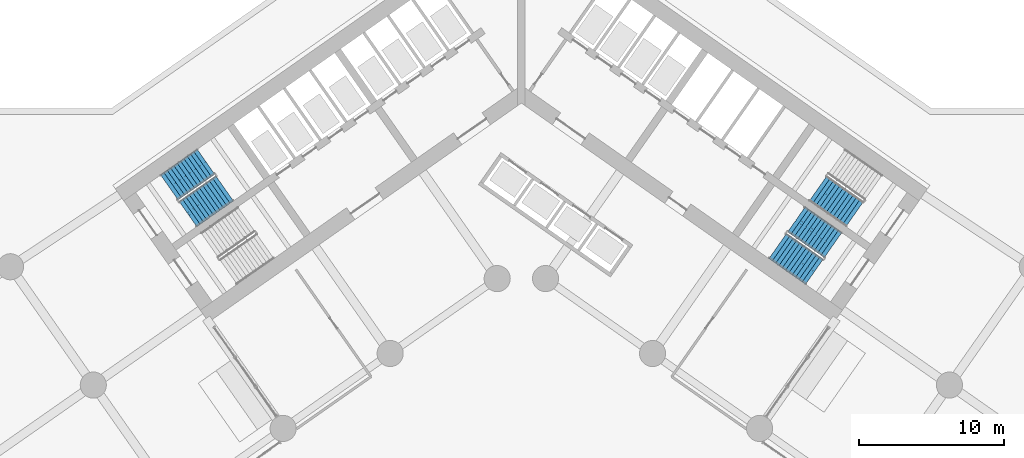
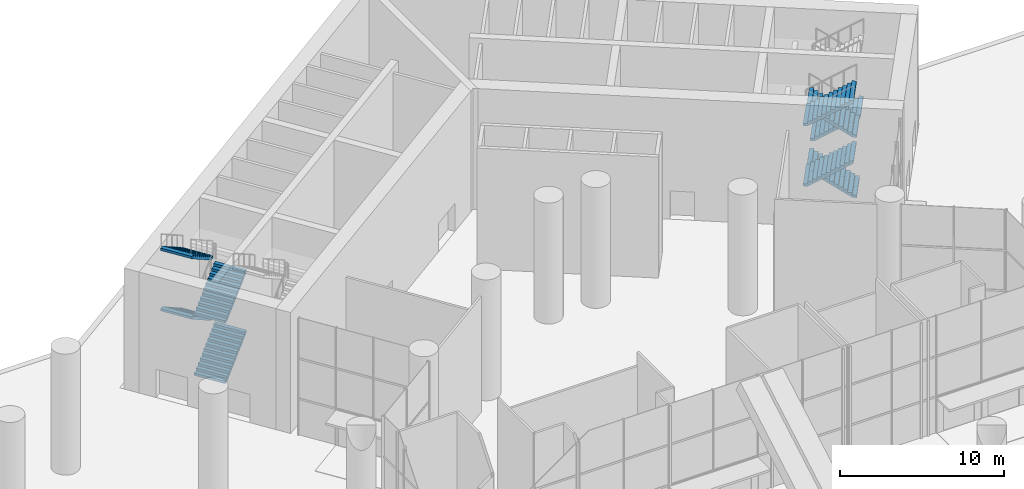
# One storey, part 25 of 37: 9 stair flights, 3 elements without a shape of their own.
"""IFC4 building model written with IfcOpenShell, lengths in metres."""

from ifc_helpers import new_model, si_unit, direction, frame, origin, place, context, subcontext, project, spatial, polyline, outline, extrude, material, type_object, element, aggregate, save


model = new_model("IFC4")

# Units and contexts
model_context = context("Model", 3, precision=1e-05, world=origin(), true_north=direction((0.0, 1.0)))
body_context = subcontext(model_context, "Body", "Model", "MODEL_VIEW")
ifc_project = project(units=[si_unit("LENGTHUNIT", "METRE"), si_unit("AREAUNIT", "SQUARE_METRE"), si_unit("VOLUMEUNIT", "CUBIC_METRE"), si_unit("PLANEANGLEUNIT", "RADIAN"), si_unit("MASSUNIT", "GRAM", prefix="KILO")], contexts=[model_context])

# Site, building, storey
site_placement = place(None, origin())
site = spatial("IfcSite", under=ifc_project, at=site_placement, CompositionType="ELEMENT")
building_placement = place(site_placement, origin())
building = spatial("IfcBuilding", under=site, at=building_placement, Name="Tel Ilan Convention Tower", CompositionType="ELEMENT")
storey_placement = place(building_placement, origin())
storey = spatial("IfcBuildingStorey", under=building, at=storey_placement, Name="L00", CompositionType="ELEMENT", Elevation=0.0)

# Stair, stair flights
ifc_material_1 = material(Name="Concrete C40/50", Category="concrete")
stair_type = type_object("IfcStairType", Name="Pressurised Exit Stair 48 risers 188 mm", PredefinedType="HALF_TURN_STAIR", material=ifc_material_1)
stair_1_placement = place(storey_placement, origin())
stair_1 = element("IfcStair", 1, at=stair_1_placement, inside=storey, type_object=stair_type, Name="L00 Pressurised Stair S1", PredefinedType="HALF_TURN_STAIR")
ifc_material_2 = material(Name="Precast Concrete C40/50", Category="concrete")
stair_flight_type = type_object("IfcStairFlightType", Name="Concrete Stair Flight 2100 mm 48 risers 188 mm", PredefinedType="STRAIGHT", material=ifc_material_2)
stair_flight_1_placement = place(storey_placement, frame((-22.9619140625, -8.87548828125, 0.0), z_axis=(0.0, 0.0, 1.0), x_axis=(0.819152044289, 0.573576436351, 0.0)))
stair_flight_1 = element("IfcStairFlight", 2, at=stair_flight_1_placement, type_object=stair_flight_type, Name="S1 flight 1", NumberOfRisers=12, NumberOfTreads=11, PredefinedType="STRAIGHT", RiserHeight=0.1875, TreadLength=0.28, context=body_context, shape_type="SweptSolid", body=[
    extrude(outline(polyline([(0.0, 0.0), (0.0, 0.1875), (0.280029296875, 0.1875), (0.280029296875, 0.375), (0.56005859375, 0.375), (0.56005859375, 0.5625), (0.840087890625, 0.5625), (0.840087890625, 0.75), (1.1201171875, 0.75), (1.1201171875, 0.9375), (1.39990234375, 0.9375), (1.39990234375, 1.125), (1.679931640625, 1.125), (1.679931640625, 1.3125), (1.9599609375, 1.3125), (1.9599609375, 1.5), (2.239990234375, 1.5), (2.239990234375, 1.6875), (2.52001953125, 1.6875), (2.52001953125, 1.875), (2.800048828125, 1.875), (2.800048828125, 2.0625), (3.080078125, 2.0625), (3.080078125, 2.25), (3.080078125, 1.882080078125), (0.26953125, 0.0), (0.0, 0.0)])), frame((0.0, -0.100341796875, 0.0), z_axis=(0.0, -1.0, 0.0), x_axis=(1.0, 0.0, 0.0)), (0.0, 0.0, 1.0), 0.94970703125),
    extrude(outline(polyline([(0.0, 0.0), (0.0, 0.1875), (0.280029296875, 0.1875), (0.280029296875, 0.375), (0.56005859375, 0.375), (0.56005859375, 0.5625), (0.840087890625, 0.5625), (0.840087890625, 0.75), (1.1201171875, 0.75), (1.1201171875, 0.9375), (1.39990234375, 0.9375), (1.39990234375, 1.125), (1.679931640625, 1.125), (1.679931640625, 1.3125), (1.9599609375, 1.3125), (1.9599609375, 1.5), (2.239990234375, 1.5), (2.239990234375, 1.6875), (2.52001953125, 1.6875), (2.52001953125, 1.875), (2.800048828125, 1.875), (2.800048828125, 2.0625), (3.080078125, 2.0625), (3.080078125, 2.25), (3.080078125, 1.882080078125), (0.26953125, 0.0), (0.0, 0.0)])), frame((0.0, -0.000244140625, 0.0), z_axis=(0.0, -1.0, 0.0), x_axis=(1.0, 0.0, 0.0)), (0.0, 0.0, 1.0), 0.099609375),
    extrude(outline(polyline([(0.0, 0.0), (0.0, 0.1875), (0.280029296875, 0.1875), (0.280029296875, 0.375), (0.56005859375, 0.375), (0.56005859375, 0.5625), (0.840087890625, 0.5625), (0.840087890625, 0.75), (1.1201171875, 0.75), (1.1201171875, 0.9375), (1.39990234375, 0.9375), (1.39990234375, 1.125), (1.679931640625, 1.125), (1.679931640625, 1.3125), (1.9599609375, 1.3125), (1.9599609375, 1.5), (2.239990234375, 1.5), (2.239990234375, 1.6875), (2.52001953125, 1.6875), (2.52001953125, 1.875), (2.800048828125, 1.875), (2.800048828125, 2.0625), (3.080078125, 2.0625), (3.080078125, 2.25), (3.080078125, 1.882080078125), (0.26953125, 0.0), (0.0, 0.0)])), frame((0.0, 0.099853515625, 0.0), z_axis=(0.0, -1.0, 0.0), x_axis=(1.0, 0.0, 0.0)), (0.0, 0.0, 1.0), 0.099609375),
    extrude(outline(polyline([(0.0, 0.0), (0.0, 0.1875), (0.280029296875, 0.1875), (0.280029296875, 0.375), (0.56005859375, 0.375), (0.56005859375, 0.5625), (0.840087890625, 0.5625), (0.840087890625, 0.75), (1.1201171875, 0.75), (1.1201171875, 0.9375), (1.39990234375, 0.9375), (1.39990234375, 1.125), (1.679931640625, 1.125), (1.679931640625, 1.3125), (1.9599609375, 1.3125), (1.9599609375, 1.5), (2.239990234375, 1.5), (2.239990234375, 1.6875), (2.52001953125, 1.6875), (2.52001953125, 1.875), (2.800048828125, 1.875), (2.800048828125, 2.0625), (3.080078125, 2.0625), (3.080078125, 2.25), (3.080078125, 1.882080078125), (0.26953125, 0.0), (0.0, 0.0)])), frame((0.0, 1.050048828125, 0.0), z_axis=(0.0, -1.0, 0.0), x_axis=(1.0, 0.0, 0.0)), (0.0, 0.0, 1.0), 0.94970703125),
])
stair_flight_2_placement = place(storey_placement, frame((-21.7294921875, -5.265869140625, 2.25), z_axis=(0.0, 0.0, 1.0), x_axis=(-0.819152044289, -0.573576436351, 0.0)))
stair_flight_2 = element("IfcStairFlight", 3, at=stair_flight_2_placement, type_object=stair_flight_type, Name="S1 flight 2", NumberOfRisers=12, NumberOfTreads=11, PredefinedType="STRAIGHT", RiserHeight=0.1875, TreadLength=0.28, context=body_context, shape_type="SweptSolid", body=[
    extrude(outline(polyline([(0.0, 0.0), (0.0, 0.1875), (0.280029296875, 0.1875), (0.280029296875, 0.375), (0.56005859375, 0.375), (0.56005859375, 0.5625), (0.840087890625, 0.5625), (0.840087890625, 0.75), (1.1201171875, 0.75), (1.1201171875, 0.9375), (1.39990234375, 0.9375), (1.39990234375, 1.125), (1.679931640625, 1.125), (1.679931640625, 1.3125), (1.9599609375, 1.3125), (1.9599609375, 1.5), (2.239990234375, 1.5), (2.239990234375, 1.6875), (2.52001953125, 1.6875), (2.52001953125, 1.875), (2.800048828125, 1.875), (2.800048828125, 2.0625), (3.080078125, 2.0625), (3.080078125, 2.25), (3.080078125, 1.882080078125), (0.26953125, 0.0), (0.0, 0.0)])), frame((0.0, -0.100341796875, 0.0), z_axis=(0.0, -1.0, 0.0), x_axis=(1.0, 0.0, 0.0)), (0.0, 0.0, 1.0), 0.94970703125),
    extrude(outline(polyline([(0.0, 0.0), (0.0, 0.1875), (0.280029296875, 0.1875), (0.280029296875, 0.375), (0.56005859375, 0.375), (0.56005859375, 0.5625), (0.840087890625, 0.5625), (0.840087890625, 0.75), (1.1201171875, 0.75), (1.1201171875, 0.9375), (1.39990234375, 0.9375), (1.39990234375, 1.125), (1.679931640625, 1.125), (1.679931640625, 1.3125), (1.9599609375, 1.3125), (1.9599609375, 1.5), (2.239990234375, 1.5), (2.239990234375, 1.6875), (2.52001953125, 1.6875), (2.52001953125, 1.875), (2.800048828125, 1.875), (2.800048828125, 2.0625), (3.080078125, 2.0625), (3.080078125, 2.25), (3.080078125, 1.882080078125), (0.26953125, 0.0), (0.0, 0.0)])), frame((0.0, -0.000244140625, 0.0), z_axis=(0.0, -1.0, 0.0), x_axis=(1.0, 0.0, 0.0)), (0.0, 0.0, 1.0), 0.099609375),
    extrude(outline(polyline([(0.0, 0.0), (0.0, 0.1875), (0.280029296875, 0.1875), (0.280029296875, 0.375), (0.56005859375, 0.375), (0.56005859375, 0.5625), (0.840087890625, 0.5625), (0.840087890625, 0.75), (1.1201171875, 0.75), (1.1201171875, 0.9375), (1.39990234375, 0.9375), (1.39990234375, 1.125), (1.679931640625, 1.125), (1.679931640625, 1.3125), (1.9599609375, 1.3125), (1.9599609375, 1.5), (2.239990234375, 1.5), (2.239990234375, 1.6875), (2.52001953125, 1.6875), (2.52001953125, 1.875), (2.800048828125, 1.875), (2.800048828125, 2.0625), (3.080078125, 2.0625), (3.080078125, 2.25), (3.080078125, 1.882080078125), (0.26953125, 0.0), (0.0, 0.0)])), frame((0.0, 0.099853515625, 0.0), z_axis=(0.0, -1.0, 0.0), x_axis=(1.0, 0.0, 0.0)), (0.0, 0.0, 1.0), 0.099609375),
    extrude(outline(polyline([(0.0, 0.0), (0.0, 0.1875), (0.280029296875, 0.1875), (0.280029296875, 0.375), (0.56005859375, 0.375), (0.56005859375, 0.5625), (0.840087890625, 0.5625), (0.840087890625, 0.75), (1.1201171875, 0.75), (1.1201171875, 0.9375), (1.39990234375, 0.9375), (1.39990234375, 1.125), (1.679931640625, 1.125), (1.679931640625, 1.3125), (1.9599609375, 1.3125), (1.9599609375, 1.5), (2.239990234375, 1.5), (2.239990234375, 1.6875), (2.52001953125, 1.6875), (2.52001953125, 1.875), (2.800048828125, 1.875), (2.800048828125, 2.0625), (3.080078125, 2.0625), (3.080078125, 2.25), (3.080078125, 1.882080078125), (0.26953125, 0.0), (0.0, 0.0)])), frame((0.0, 1.050048828125, 0.0), z_axis=(0.0, -1.0, 0.0), x_axis=(1.0, 0.0, 0.0)), (0.0, 0.0, 1.0), 0.94970703125),
])
stair_flight_3_placement = place(storey_placement, frame((-22.9619140625, -8.87548828125, 4.5), z_axis=(0.0, 0.0, 1.0), x_axis=(0.819152044289, 0.573576436351, 0.0)))
stair_flight_3 = element("IfcStairFlight", 4, at=stair_flight_3_placement, type_object=stair_flight_type, Name="S1 flight 3", NumberOfRisers=12, NumberOfTreads=11, PredefinedType="STRAIGHT", RiserHeight=0.1875, TreadLength=0.28, context=body_context, shape_type="SweptSolid", body=[
    extrude(outline(polyline([(0.0, 0.0), (0.0, 0.1875), (0.280029296875, 0.1875), (0.280029296875, 0.375), (0.56005859375, 0.375), (0.56005859375, 0.5625), (0.840087890625, 0.5625), (0.840087890625, 0.75), (1.1201171875, 0.75), (1.1201171875, 0.9375), (1.39990234375, 0.9375), (1.39990234375, 1.125), (1.679931640625, 1.125), (1.679931640625, 1.3125), (1.9599609375, 1.3125), (1.9599609375, 1.5), (2.239990234375, 1.5), (2.239990234375, 1.6875), (2.52001953125, 1.6875), (2.52001953125, 1.875), (2.800048828125, 1.875), (2.800048828125, 2.0625), (3.080078125, 2.0625), (3.080078125, 2.25), (3.080078125, 1.882080078125), (0.26953125, 0.0), (0.0, 0.0)])), frame((0.0, -0.100341796875, 0.0), z_axis=(0.0, -1.0, 0.0), x_axis=(1.0, 0.0, 0.0)), (0.0, 0.0, 1.0), 0.94970703125),
    extrude(outline(polyline([(0.0, 0.0), (0.0, 0.1875), (0.280029296875, 0.1875), (0.280029296875, 0.375), (0.56005859375, 0.375), (0.56005859375, 0.5625), (0.840087890625, 0.5625), (0.840087890625, 0.75), (1.1201171875, 0.75), (1.1201171875, 0.9375), (1.39990234375, 0.9375), (1.39990234375, 1.125), (1.679931640625, 1.125), (1.679931640625, 1.3125), (1.9599609375, 1.3125), (1.9599609375, 1.5), (2.239990234375, 1.5), (2.239990234375, 1.6875), (2.52001953125, 1.6875), (2.52001953125, 1.875), (2.800048828125, 1.875), (2.800048828125, 2.0625), (3.080078125, 2.0625), (3.080078125, 2.25), (3.080078125, 1.882080078125), (0.26953125, 0.0), (0.0, 0.0)])), frame((0.0, -0.000244140625, 0.0), z_axis=(0.0, -1.0, 0.0), x_axis=(1.0, 0.0, 0.0)), (0.0, 0.0, 1.0), 0.099609375),
    extrude(outline(polyline([(0.0, 0.0), (0.0, 0.1875), (0.280029296875, 0.1875), (0.280029296875, 0.375), (0.56005859375, 0.375), (0.56005859375, 0.5625), (0.840087890625, 0.5625), (0.840087890625, 0.75), (1.1201171875, 0.75), (1.1201171875, 0.9375), (1.39990234375, 0.9375), (1.39990234375, 1.125), (1.679931640625, 1.125), (1.679931640625, 1.3125), (1.9599609375, 1.3125), (1.9599609375, 1.5), (2.239990234375, 1.5), (2.239990234375, 1.6875), (2.52001953125, 1.6875), (2.52001953125, 1.875), (2.800048828125, 1.875), (2.800048828125, 2.0625), (3.080078125, 2.0625), (3.080078125, 2.25), (3.080078125, 1.882080078125), (0.26953125, 0.0), (0.0, 0.0)])), frame((0.0, 0.099853515625, 0.0), z_axis=(0.0, -1.0, 0.0), x_axis=(1.0, 0.0, 0.0)), (0.0, 0.0, 1.0), 0.099609375),
    extrude(outline(polyline([(0.0, 0.0), (0.0, 0.1875), (0.280029296875, 0.1875), (0.280029296875, 0.375), (0.56005859375, 0.375), (0.56005859375, 0.5625), (0.840087890625, 0.5625), (0.840087890625, 0.75), (1.1201171875, 0.75), (1.1201171875, 0.9375), (1.39990234375, 0.9375), (1.39990234375, 1.125), (1.679931640625, 1.125), (1.679931640625, 1.3125), (1.9599609375, 1.3125), (1.9599609375, 1.5), (2.239990234375, 1.5), (2.239990234375, 1.6875), (2.52001953125, 1.6875), (2.52001953125, 1.875), (2.800048828125, 1.875), (2.800048828125, 2.0625), (3.080078125, 2.0625), (3.080078125, 2.25), (3.080078125, 1.882080078125), (0.26953125, 0.0), (0.0, 0.0)])), frame((0.0, 1.050048828125, 0.0), z_axis=(0.0, -1.0, 0.0), x_axis=(1.0, 0.0, 0.0)), (0.0, 0.0, 1.0), 0.94970703125),
])
stair_flight_4_placement = place(storey_placement, frame((-21.7294921875, -5.265869140625, 6.75), z_axis=(0.0, 0.0, 1.0), x_axis=(-0.819152044289, -0.573576436351, 0.0)))
stair_flight_4 = element("IfcStairFlight", 5, at=stair_flight_4_placement, type_object=stair_flight_type, Name="S1 flight 4", NumberOfRisers=12, NumberOfTreads=11, PredefinedType="STRAIGHT", RiserHeight=0.1875, TreadLength=0.28, context=body_context, shape_type="SweptSolid", body=[
    extrude(outline(polyline([(0.0, 0.0), (0.0, 0.1875), (0.280029296875, 0.1875), (0.280029296875, 0.375), (0.56005859375, 0.375), (0.56005859375, 0.5625), (0.840087890625, 0.5625), (0.840087890625, 0.75), (1.1201171875, 0.75), (1.1201171875, 0.9375), (1.39990234375, 0.9375), (1.39990234375, 1.125), (1.679931640625, 1.125), (1.679931640625, 1.3125), (1.9599609375, 1.3125), (1.9599609375, 1.5), (2.239990234375, 1.5), (2.239990234375, 1.6875), (2.52001953125, 1.6875), (2.52001953125, 1.875), (2.800048828125, 1.875), (2.800048828125, 2.0625), (3.080078125, 2.0625), (3.080078125, 2.25), (3.080078125, 1.882080078125), (0.26953125, 0.0), (0.0, 0.0)])), frame((0.0, -0.100341796875, 0.0), z_axis=(0.0, -1.0, 0.0), x_axis=(1.0, 0.0, 0.0)), (0.0, 0.0, 1.0), 0.94970703125),
    extrude(outline(polyline([(0.0, 0.0), (0.0, 0.1875), (0.280029296875, 0.1875), (0.280029296875, 0.375), (0.56005859375, 0.375), (0.56005859375, 0.5625), (0.840087890625, 0.5625), (0.840087890625, 0.75), (1.1201171875, 0.75), (1.1201171875, 0.9375), (1.39990234375, 0.9375), (1.39990234375, 1.125), (1.679931640625, 1.125), (1.679931640625, 1.3125), (1.9599609375, 1.3125), (1.9599609375, 1.5), (2.239990234375, 1.5), (2.239990234375, 1.6875), (2.52001953125, 1.6875), (2.52001953125, 1.875), (2.800048828125, 1.875), (2.800048828125, 2.0625), (3.080078125, 2.0625), (3.080078125, 2.25), (3.080078125, 1.882080078125), (0.26953125, 0.0), (0.0, 0.0)])), frame((0.0, -0.000244140625, 0.0), z_axis=(0.0, -1.0, 0.0), x_axis=(1.0, 0.0, 0.0)), (0.0, 0.0, 1.0), 0.099609375),
    extrude(outline(polyline([(0.0, 0.0), (0.0, 0.1875), (0.280029296875, 0.1875), (0.280029296875, 0.375), (0.56005859375, 0.375), (0.56005859375, 0.5625), (0.840087890625, 0.5625), (0.840087890625, 0.75), (1.1201171875, 0.75), (1.1201171875, 0.9375), (1.39990234375, 0.9375), (1.39990234375, 1.125), (1.679931640625, 1.125), (1.679931640625, 1.3125), (1.9599609375, 1.3125), (1.9599609375, 1.5), (2.239990234375, 1.5), (2.239990234375, 1.6875), (2.52001953125, 1.6875), (2.52001953125, 1.875), (2.800048828125, 1.875), (2.800048828125, 2.0625), (3.080078125, 2.0625), (3.080078125, 2.25), (3.080078125, 1.882080078125), (0.26953125, 0.0), (0.0, 0.0)])), frame((0.0, 0.099853515625, 0.0), z_axis=(0.0, -1.0, 0.0), x_axis=(1.0, 0.0, 0.0)), (0.0, 0.0, 1.0), 0.099609375),
    extrude(outline(polyline([(0.0, 0.0), (0.0, 0.1875), (0.280029296875, 0.1875), (0.280029296875, 0.375), (0.56005859375, 0.375), (0.56005859375, 0.5625), (0.840087890625, 0.5625), (0.840087890625, 0.75), (1.1201171875, 0.75), (1.1201171875, 0.9375), (1.39990234375, 0.9375), (1.39990234375, 1.125), (1.679931640625, 1.125), (1.679931640625, 1.3125), (1.9599609375, 1.3125), (1.9599609375, 1.5), (2.239990234375, 1.5), (2.239990234375, 1.6875), (2.52001953125, 1.6875), (2.52001953125, 1.875), (2.800048828125, 1.875), (2.800048828125, 2.0625), (3.080078125, 2.0625), (3.080078125, 2.25), (3.080078125, 1.882080078125), (0.26953125, 0.0), (0.0, 0.0)])), frame((0.0, 1.050048828125, 0.0), z_axis=(0.0, -1.0, 0.0), x_axis=(1.0, 0.0, 0.0)), (0.0, 0.0, 1.0), 0.94970703125),
])
aggregate(stair_1, [stair_flight_1, stair_flight_2, stair_flight_3, stair_flight_4])

# Stair, stair flight
stair_2_placement = place(storey_placement, origin())
stair_2 = element("IfcStair", 6, at=stair_2_placement, inside=storey, type_object=stair_type, Name="L00 Pressurised Stair S3", PredefinedType="HALF_TURN_STAIR")
stair_flight_5_placement = place(storey_placement, frame((20.43896484375, -7.10888671875, 2.25), z_axis=(0.0, 0.0, 1.0), x_axis=(0.819152044289, -0.573576436351, 0.0)))
stair_flight_5 = element("IfcStairFlight", 7, at=stair_flight_5_placement, type_object=stair_flight_type, Name="S3 flight 2", NumberOfRisers=12, NumberOfTreads=11, PredefinedType="STRAIGHT", RiserHeight=0.1875, TreadLength=0.28, context=body_context, shape_type="SweptSolid", body=[
    extrude(outline(polyline([(0.0, 0.0), (0.0, 0.1875), (0.280029296875, 0.1875), (0.280029296875, 0.375), (0.56005859375, 0.375), (0.56005859375, 0.5625), (0.840087890625, 0.5625), (0.840087890625, 0.75), (1.1201171875, 0.75), (1.1201171875, 0.9375), (1.39990234375, 0.9375), (1.39990234375, 1.125), (1.679931640625, 1.125), (1.679931640625, 1.3125), (1.9599609375, 1.3125), (1.9599609375, 1.5), (2.239990234375, 1.5), (2.239990234375, 1.6875), (2.52001953125, 1.6875), (2.52001953125, 1.875), (2.800048828125, 1.875), (2.800048828125, 2.0625), (3.080078125, 2.0625), (3.080078125, 2.25), (3.080078125, 1.882080078125), (0.26953125, 0.0), (0.0, 0.0)])), frame((0.0, -0.100341796875, 0.0), z_axis=(0.0, -1.0, 0.0), x_axis=(1.0, 0.0, 0.0)), (0.0, 0.0, 1.0), 0.94970703125),
    extrude(outline(polyline([(0.0, 0.0), (0.0, 0.1875), (0.280029296875, 0.1875), (0.280029296875, 0.375), (0.56005859375, 0.375), (0.56005859375, 0.5625), (0.840087890625, 0.5625), (0.840087890625, 0.75), (1.1201171875, 0.75), (1.1201171875, 0.9375), (1.39990234375, 0.9375), (1.39990234375, 1.125), (1.679931640625, 1.125), (1.679931640625, 1.3125), (1.9599609375, 1.3125), (1.9599609375, 1.5), (2.239990234375, 1.5), (2.239990234375, 1.6875), (2.52001953125, 1.6875), (2.52001953125, 1.875), (2.800048828125, 1.875), (2.800048828125, 2.0625), (3.080078125, 2.0625), (3.080078125, 2.25), (3.080078125, 1.882080078125), (0.26953125, 0.0), (0.0, 0.0)])), frame((0.0, -0.000244140625, 0.0), z_axis=(0.0, -1.0, 0.0), x_axis=(1.0, 0.0, 0.0)), (0.0, 0.0, 1.0), 0.099609375),
    extrude(outline(polyline([(0.0, 0.0), (0.0, 0.1875), (0.280029296875, 0.1875), (0.280029296875, 0.375), (0.56005859375, 0.375), (0.56005859375, 0.5625), (0.840087890625, 0.5625), (0.840087890625, 0.75), (1.1201171875, 0.75), (1.1201171875, 0.9375), (1.39990234375, 0.9375), (1.39990234375, 1.125), (1.679931640625, 1.125), (1.679931640625, 1.3125), (1.9599609375, 1.3125), (1.9599609375, 1.5), (2.239990234375, 1.5), (2.239990234375, 1.6875), (2.52001953125, 1.6875), (2.52001953125, 1.875), (2.800048828125, 1.875), (2.800048828125, 2.0625), (3.080078125, 2.0625), (3.080078125, 2.25), (3.080078125, 1.882080078125), (0.26953125, 0.0), (0.0, 0.0)])), frame((0.0, 0.099853515625, 0.0), z_axis=(0.0, -1.0, 0.0), x_axis=(1.0, 0.0, 0.0)), (0.0, 0.0, 1.0), 0.099609375),
    extrude(outline(polyline([(0.0, 0.0), (0.0, 0.1875), (0.280029296875, 0.1875), (0.280029296875, 0.375), (0.56005859375, 0.375), (0.56005859375, 0.5625), (0.840087890625, 0.5625), (0.840087890625, 0.75), (1.1201171875, 0.75), (1.1201171875, 0.9375), (1.39990234375, 0.9375), (1.39990234375, 1.125), (1.679931640625, 1.125), (1.679931640625, 1.3125), (1.9599609375, 1.3125), (1.9599609375, 1.5), (2.239990234375, 1.5), (2.239990234375, 1.6875), (2.52001953125, 1.6875), (2.52001953125, 1.875), (2.800048828125, 1.875), (2.800048828125, 2.0625), (3.080078125, 2.0625), (3.080078125, 2.25), (3.080078125, 1.882080078125), (0.26953125, 0.0), (0.0, 0.0)])), frame((0.0, 1.050048828125, 0.0), z_axis=(0.0, -1.0, 0.0), x_axis=(1.0, 0.0, 0.0)), (0.0, 0.0, 1.0), 0.94970703125),
])
aggregate(stair_2, [stair_flight_5])

# Stair, stair flights
stair_3_placement = place(storey_placement, origin())
stair_3 = element("IfcStair", 8, at=stair_3_placement, inside=storey, type_object=stair_type, Name="L00 Pressurised Stair S4", PredefinedType="HALF_TURN_STAIR")
stair_flight_6_placement = place(storey_placement, frame((21.470458984375, -11.00537109375, 0.0), z_axis=(0.0, 0.0, 1.0), x_axis=(-0.819152044289, 0.573576436351, 0.0)))
stair_flight_6 = element("IfcStairFlight", 9, at=stair_flight_6_placement, type_object=stair_flight_type, Name="S4 flight 1", NumberOfRisers=12, NumberOfTreads=11, PredefinedType="STRAIGHT", RiserHeight=0.1875, TreadLength=0.28, context=body_context, shape_type="SweptSolid", body=[
    extrude(outline(polyline([(0.0, 0.0), (0.0, 0.1875), (0.280029296875, 0.1875), (0.280029296875, 0.375), (0.56005859375, 0.375), (0.56005859375, 0.5625), (0.840087890625, 0.5625), (0.840087890625, 0.75), (1.1201171875, 0.75), (1.1201171875, 0.9375), (1.39990234375, 0.9375), (1.39990234375, 1.125), (1.679931640625, 1.125), (1.679931640625, 1.3125), (1.9599609375, 1.3125), (1.9599609375, 1.5), (2.239990234375, 1.5), (2.239990234375, 1.6875), (2.52001953125, 1.6875), (2.52001953125, 1.875), (2.800048828125, 1.875), (2.800048828125, 2.0625), (3.080078125, 2.0625), (3.080078125, 2.25), (3.080078125, 1.882080078125), (0.26953125, 0.0), (0.0, 0.0)])), frame((0.0, -0.100341796875, 0.0), z_axis=(0.0, -1.0, 0.0), x_axis=(1.0, 0.0, 0.0)), (0.0, 0.0, 1.0), 0.94970703125),
    extrude(outline(polyline([(0.0, 0.0), (0.0, 0.1875), (0.280029296875, 0.1875), (0.280029296875, 0.375), (0.56005859375, 0.375), (0.56005859375, 0.5625), (0.840087890625, 0.5625), (0.840087890625, 0.75), (1.1201171875, 0.75), (1.1201171875, 0.9375), (1.39990234375, 0.9375), (1.39990234375, 1.125), (1.679931640625, 1.125), (1.679931640625, 1.3125), (1.9599609375, 1.3125), (1.9599609375, 1.5), (2.239990234375, 1.5), (2.239990234375, 1.6875), (2.52001953125, 1.6875), (2.52001953125, 1.875), (2.800048828125, 1.875), (2.800048828125, 2.0625), (3.080078125, 2.0625), (3.080078125, 2.25), (3.080078125, 1.882080078125), (0.26953125, 0.0), (0.0, 0.0)])), frame((0.0, -0.000244140625, 0.0), z_axis=(0.0, -1.0, 0.0), x_axis=(1.0, 0.0, 0.0)), (0.0, 0.0, 1.0), 0.099609375),
    extrude(outline(polyline([(0.0, 0.0), (0.0, 0.1875), (0.280029296875, 0.1875), (0.280029296875, 0.375), (0.56005859375, 0.375), (0.56005859375, 0.5625), (0.840087890625, 0.5625), (0.840087890625, 0.75), (1.1201171875, 0.75), (1.1201171875, 0.9375), (1.39990234375, 0.9375), (1.39990234375, 1.125), (1.679931640625, 1.125), (1.679931640625, 1.3125), (1.9599609375, 1.3125), (1.9599609375, 1.5), (2.239990234375, 1.5), (2.239990234375, 1.6875), (2.52001953125, 1.6875), (2.52001953125, 1.875), (2.800048828125, 1.875), (2.800048828125, 2.0625), (3.080078125, 2.0625), (3.080078125, 2.25), (3.080078125, 1.882080078125), (0.26953125, 0.0), (0.0, 0.0)])), frame((0.0, 0.099853515625, 0.0), z_axis=(0.0, -1.0, 0.0), x_axis=(1.0, 0.0, 0.0)), (0.0, 0.0, 1.0), 0.099609375),
    extrude(outline(polyline([(0.0, 0.0), (0.0, 0.1875), (0.280029296875, 0.1875), (0.280029296875, 0.375), (0.56005859375, 0.375), (0.56005859375, 0.5625), (0.840087890625, 0.5625), (0.840087890625, 0.75), (1.1201171875, 0.75), (1.1201171875, 0.9375), (1.39990234375, 0.9375), (1.39990234375, 1.125), (1.679931640625, 1.125), (1.679931640625, 1.3125), (1.9599609375, 1.3125), (1.9599609375, 1.5), (2.239990234375, 1.5), (2.239990234375, 1.6875), (2.52001953125, 1.6875), (2.52001953125, 1.875), (2.800048828125, 1.875), (2.800048828125, 2.0625), (3.080078125, 2.0625), (3.080078125, 2.25), (3.080078125, 1.882080078125), (0.26953125, 0.0), (0.0, 0.0)])), frame((0.0, 1.050048828125, 0.0), z_axis=(0.0, -1.0, 0.0), x_axis=(1.0, 0.0, 0.0)), (0.0, 0.0, 1.0), 0.94970703125),
])
stair_flight_7_placement = place(storey_placement, frame((17.656982421875, -11.081787109375, 2.25), z_axis=(0.0, 0.0, 1.0), x_axis=(0.819152044289, -0.573576436351, 0.0)))
stair_flight_7 = element("IfcStairFlight", 10, at=stair_flight_7_placement, type_object=stair_flight_type, Name="S4 flight 2", NumberOfRisers=12, NumberOfTreads=11, PredefinedType="STRAIGHT", RiserHeight=0.1875, TreadLength=0.28, context=body_context, shape_type="SweptSolid", body=[
    extrude(outline(polyline([(0.0, 0.0), (0.0, 0.1875), (0.280029296875, 0.1875), (0.280029296875, 0.375), (0.56005859375, 0.375), (0.56005859375, 0.5625), (0.840087890625, 0.5625), (0.840087890625, 0.75), (1.1201171875, 0.75), (1.1201171875, 0.9375), (1.39990234375, 0.9375), (1.39990234375, 1.125), (1.679931640625, 1.125), (1.679931640625, 1.3125), (1.9599609375, 1.3125), (1.9599609375, 1.5), (2.239990234375, 1.5), (2.239990234375, 1.6875), (2.52001953125, 1.6875), (2.52001953125, 1.875), (2.800048828125, 1.875), (2.800048828125, 2.0625), (3.080078125, 2.0625), (3.080078125, 2.25), (3.080078125, 1.882080078125), (0.26953125, 0.0), (0.0, 0.0)])), frame((0.0, -0.100341796875, 0.0), z_axis=(0.0, -1.0, 0.0), x_axis=(1.0, 0.0, 0.0)), (0.0, 0.0, 1.0), 0.94970703125),
    extrude(outline(polyline([(0.0, 0.0), (0.0, 0.1875), (0.280029296875, 0.1875), (0.280029296875, 0.375), (0.56005859375, 0.375), (0.56005859375, 0.5625), (0.840087890625, 0.5625), (0.840087890625, 0.75), (1.1201171875, 0.75), (1.1201171875, 0.9375), (1.39990234375, 0.9375), (1.39990234375, 1.125), (1.679931640625, 1.125), (1.679931640625, 1.3125), (1.9599609375, 1.3125), (1.9599609375, 1.5), (2.239990234375, 1.5), (2.239990234375, 1.6875), (2.52001953125, 1.6875), (2.52001953125, 1.875), (2.800048828125, 1.875), (2.800048828125, 2.0625), (3.080078125, 2.0625), (3.080078125, 2.25), (3.080078125, 1.882080078125), (0.26953125, 0.0), (0.0, 0.0)])), frame((0.0, -0.000244140625, 0.0), z_axis=(0.0, -1.0, 0.0), x_axis=(1.0, 0.0, 0.0)), (0.0, 0.0, 1.0), 0.099609375),
    extrude(outline(polyline([(0.0, 0.0), (0.0, 0.1875), (0.280029296875, 0.1875), (0.280029296875, 0.375), (0.56005859375, 0.375), (0.56005859375, 0.5625), (0.840087890625, 0.5625), (0.840087890625, 0.75), (1.1201171875, 0.75), (1.1201171875, 0.9375), (1.39990234375, 0.9375), (1.39990234375, 1.125), (1.679931640625, 1.125), (1.679931640625, 1.3125), (1.9599609375, 1.3125), (1.9599609375, 1.5), (2.239990234375, 1.5), (2.239990234375, 1.6875), (2.52001953125, 1.6875), (2.52001953125, 1.875), (2.800048828125, 1.875), (2.800048828125, 2.0625), (3.080078125, 2.0625), (3.080078125, 2.25), (3.080078125, 1.882080078125), (0.26953125, 0.0), (0.0, 0.0)])), frame((0.0, 0.099853515625, 0.0), z_axis=(0.0, -1.0, 0.0), x_axis=(1.0, 0.0, 0.0)), (0.0, 0.0, 1.0), 0.099609375),
    extrude(outline(polyline([(0.0, 0.0), (0.0, 0.1875), (0.280029296875, 0.1875), (0.280029296875, 0.375), (0.56005859375, 0.375), (0.56005859375, 0.5625), (0.840087890625, 0.5625), (0.840087890625, 0.75), (1.1201171875, 0.75), (1.1201171875, 0.9375), (1.39990234375, 0.9375), (1.39990234375, 1.125), (1.679931640625, 1.125), (1.679931640625, 1.3125), (1.9599609375, 1.3125), (1.9599609375, 1.5), (2.239990234375, 1.5), (2.239990234375, 1.6875), (2.52001953125, 1.6875), (2.52001953125, 1.875), (2.800048828125, 1.875), (2.800048828125, 2.0625), (3.080078125, 2.0625), (3.080078125, 2.25), (3.080078125, 1.882080078125), (0.26953125, 0.0), (0.0, 0.0)])), frame((0.0, 1.050048828125, 0.0), z_axis=(0.0, -1.0, 0.0), x_axis=(1.0, 0.0, 0.0)), (0.0, 0.0, 1.0), 0.94970703125),
])
stair_flight_8_placement = place(storey_placement, frame((21.470458984375, -11.00537109375, 4.5), z_axis=(0.0, 0.0, 1.0), x_axis=(-0.819152044289, 0.573576436351, 0.0)))
stair_flight_8 = element("IfcStairFlight", 11, at=stair_flight_8_placement, type_object=stair_flight_type, Name="S4 flight 3", NumberOfRisers=12, NumberOfTreads=11, PredefinedType="STRAIGHT", RiserHeight=0.1875, TreadLength=0.28, context=body_context, shape_type="SweptSolid", body=[
    extrude(outline(polyline([(0.0, 0.0), (0.0, 0.1875), (0.280029296875, 0.1875), (0.280029296875, 0.375), (0.56005859375, 0.375), (0.56005859375, 0.5625), (0.840087890625, 0.5625), (0.840087890625, 0.75), (1.1201171875, 0.75), (1.1201171875, 0.9375), (1.39990234375, 0.9375), (1.39990234375, 1.125), (1.679931640625, 1.125), (1.679931640625, 1.3125), (1.9599609375, 1.3125), (1.9599609375, 1.5), (2.239990234375, 1.5), (2.239990234375, 1.6875), (2.52001953125, 1.6875), (2.52001953125, 1.875), (2.800048828125, 1.875), (2.800048828125, 2.0625), (3.080078125, 2.0625), (3.080078125, 2.25), (3.080078125, 1.882080078125), (0.26953125, 0.0), (0.0, 0.0)])), frame((0.0, -0.100341796875, 0.0), z_axis=(0.0, -1.0, 0.0), x_axis=(1.0, 0.0, 0.0)), (0.0, 0.0, 1.0), 0.94970703125),
    extrude(outline(polyline([(0.0, 0.0), (0.0, 0.1875), (0.280029296875, 0.1875), (0.280029296875, 0.375), (0.56005859375, 0.375), (0.56005859375, 0.5625), (0.840087890625, 0.5625), (0.840087890625, 0.75), (1.1201171875, 0.75), (1.1201171875, 0.9375), (1.39990234375, 0.9375), (1.39990234375, 1.125), (1.679931640625, 1.125), (1.679931640625, 1.3125), (1.9599609375, 1.3125), (1.9599609375, 1.5), (2.239990234375, 1.5), (2.239990234375, 1.6875), (2.52001953125, 1.6875), (2.52001953125, 1.875), (2.800048828125, 1.875), (2.800048828125, 2.0625), (3.080078125, 2.0625), (3.080078125, 2.25), (3.080078125, 1.882080078125), (0.26953125, 0.0), (0.0, 0.0)])), frame((0.0, -0.000244140625, 0.0), z_axis=(0.0, -1.0, 0.0), x_axis=(1.0, 0.0, 0.0)), (0.0, 0.0, 1.0), 0.099609375),
    extrude(outline(polyline([(0.0, 0.0), (0.0, 0.1875), (0.280029296875, 0.1875), (0.280029296875, 0.375), (0.56005859375, 0.375), (0.56005859375, 0.5625), (0.840087890625, 0.5625), (0.840087890625, 0.75), (1.1201171875, 0.75), (1.1201171875, 0.9375), (1.39990234375, 0.9375), (1.39990234375, 1.125), (1.679931640625, 1.125), (1.679931640625, 1.3125), (1.9599609375, 1.3125), (1.9599609375, 1.5), (2.239990234375, 1.5), (2.239990234375, 1.6875), (2.52001953125, 1.6875), (2.52001953125, 1.875), (2.800048828125, 1.875), (2.800048828125, 2.0625), (3.080078125, 2.0625), (3.080078125, 2.25), (3.080078125, 1.882080078125), (0.26953125, 0.0), (0.0, 0.0)])), frame((0.0, 0.099853515625, 0.0), z_axis=(0.0, -1.0, 0.0), x_axis=(1.0, 0.0, 0.0)), (0.0, 0.0, 1.0), 0.099609375),
    extrude(outline(polyline([(0.0, 0.0), (0.0, 0.1875), (0.280029296875, 0.1875), (0.280029296875, 0.375), (0.56005859375, 0.375), (0.56005859375, 0.5625), (0.840087890625, 0.5625), (0.840087890625, 0.75), (1.1201171875, 0.75), (1.1201171875, 0.9375), (1.39990234375, 0.9375), (1.39990234375, 1.125), (1.679931640625, 1.125), (1.679931640625, 1.3125), (1.9599609375, 1.3125), (1.9599609375, 1.5), (2.239990234375, 1.5), (2.239990234375, 1.6875), (2.52001953125, 1.6875), (2.52001953125, 1.875), (2.800048828125, 1.875), (2.800048828125, 2.0625), (3.080078125, 2.0625), (3.080078125, 2.25), (3.080078125, 1.882080078125), (0.26953125, 0.0), (0.0, 0.0)])), frame((0.0, 1.050048828125, 0.0), z_axis=(0.0, -1.0, 0.0), x_axis=(1.0, 0.0, 0.0)), (0.0, 0.0, 1.0), 0.94970703125),
])
stair_flight_9_placement = place(storey_placement, frame((17.656982421875, -11.081787109375, 6.75), z_axis=(0.0, 0.0, 1.0), x_axis=(0.819152044289, -0.573576436351, 0.0)))
stair_flight_9 = element("IfcStairFlight", 12, at=stair_flight_9_placement, type_object=stair_flight_type, Name="S4 flight 4", NumberOfRisers=12, NumberOfTreads=11, PredefinedType="STRAIGHT", RiserHeight=0.1875, TreadLength=0.28, context=body_context, shape_type="SweptSolid", body=[
    extrude(outline(polyline([(0.0, 0.0), (0.0, 0.1875), (0.280029296875, 0.1875), (0.280029296875, 0.375), (0.56005859375, 0.375), (0.56005859375, 0.5625), (0.840087890625, 0.5625), (0.840087890625, 0.75), (1.1201171875, 0.75), (1.1201171875, 0.9375), (1.39990234375, 0.9375), (1.39990234375, 1.125), (1.679931640625, 1.125), (1.679931640625, 1.3125), (1.9599609375, 1.3125), (1.9599609375, 1.5), (2.239990234375, 1.5), (2.239990234375, 1.6875), (2.52001953125, 1.6875), (2.52001953125, 1.875), (2.800048828125, 1.875), (2.800048828125, 2.0625), (3.080078125, 2.0625), (3.080078125, 2.25), (3.080078125, 1.882080078125), (0.26953125, 0.0), (0.0, 0.0)])), frame((0.0, -0.100341796875, 0.0), z_axis=(0.0, -1.0, 0.0), x_axis=(1.0, 0.0, 0.0)), (0.0, 0.0, 1.0), 0.94970703125),
    extrude(outline(polyline([(0.0, 0.0), (0.0, 0.1875), (0.280029296875, 0.1875), (0.280029296875, 0.375), (0.56005859375, 0.375), (0.56005859375, 0.5625), (0.840087890625, 0.5625), (0.840087890625, 0.75), (1.1201171875, 0.75), (1.1201171875, 0.9375), (1.39990234375, 0.9375), (1.39990234375, 1.125), (1.679931640625, 1.125), (1.679931640625, 1.3125), (1.9599609375, 1.3125), (1.9599609375, 1.5), (2.239990234375, 1.5), (2.239990234375, 1.6875), (2.52001953125, 1.6875), (2.52001953125, 1.875), (2.800048828125, 1.875), (2.800048828125, 2.0625), (3.080078125, 2.0625), (3.080078125, 2.25), (3.080078125, 1.882080078125), (0.26953125, 0.0), (0.0, 0.0)])), frame((0.0, -0.000244140625, 0.0), z_axis=(0.0, -1.0, 0.0), x_axis=(1.0, 0.0, 0.0)), (0.0, 0.0, 1.0), 0.099609375),
    extrude(outline(polyline([(0.0, 0.0), (0.0, 0.1875), (0.280029296875, 0.1875), (0.280029296875, 0.375), (0.56005859375, 0.375), (0.56005859375, 0.5625), (0.840087890625, 0.5625), (0.840087890625, 0.75), (1.1201171875, 0.75), (1.1201171875, 0.9375), (1.39990234375, 0.9375), (1.39990234375, 1.125), (1.679931640625, 1.125), (1.679931640625, 1.3125), (1.9599609375, 1.3125), (1.9599609375, 1.5), (2.239990234375, 1.5), (2.239990234375, 1.6875), (2.52001953125, 1.6875), (2.52001953125, 1.875), (2.800048828125, 1.875), (2.800048828125, 2.0625), (3.080078125, 2.0625), (3.080078125, 2.25), (3.080078125, 1.882080078125), (0.26953125, 0.0), (0.0, 0.0)])), frame((0.0, 0.099853515625, 0.0), z_axis=(0.0, -1.0, 0.0), x_axis=(1.0, 0.0, 0.0)), (0.0, 0.0, 1.0), 0.099609375),
    extrude(outline(polyline([(0.0, 0.0), (0.0, 0.1875), (0.280029296875, 0.1875), (0.280029296875, 0.375), (0.56005859375, 0.375), (0.56005859375, 0.5625), (0.840087890625, 0.5625), (0.840087890625, 0.75), (1.1201171875, 0.75), (1.1201171875, 0.9375), (1.39990234375, 0.9375), (1.39990234375, 1.125), (1.679931640625, 1.125), (1.679931640625, 1.3125), (1.9599609375, 1.3125), (1.9599609375, 1.5), (2.239990234375, 1.5), (2.239990234375, 1.6875), (2.52001953125, 1.6875), (2.52001953125, 1.875), (2.800048828125, 1.875), (2.800048828125, 2.0625), (3.080078125, 2.0625), (3.080078125, 2.25), (3.080078125, 1.882080078125), (0.26953125, 0.0), (0.0, 0.0)])), frame((0.0, 1.050048828125, 0.0), z_axis=(0.0, -1.0, 0.0), x_axis=(1.0, 0.0, 0.0)), (0.0, 0.0, 1.0), 0.94970703125),
])
aggregate(stair_3, [stair_flight_6, stair_flight_7, stair_flight_8, stair_flight_9])

save(model, "model.ifc")
